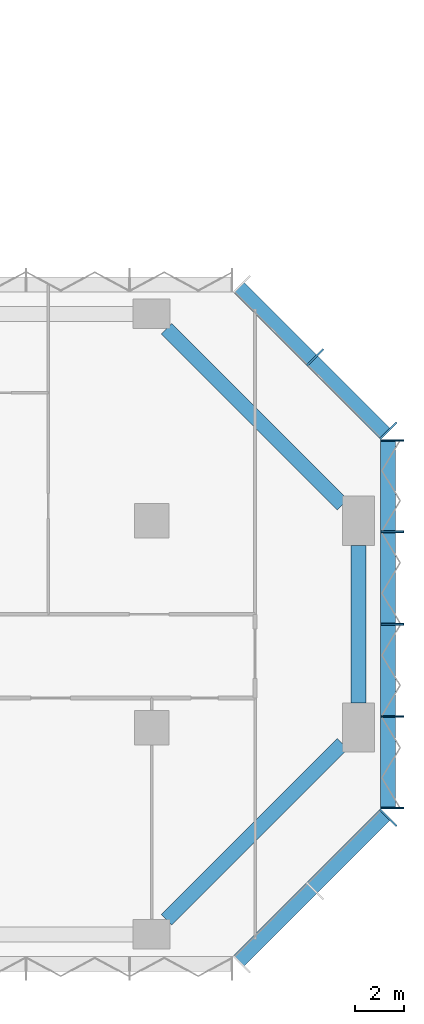
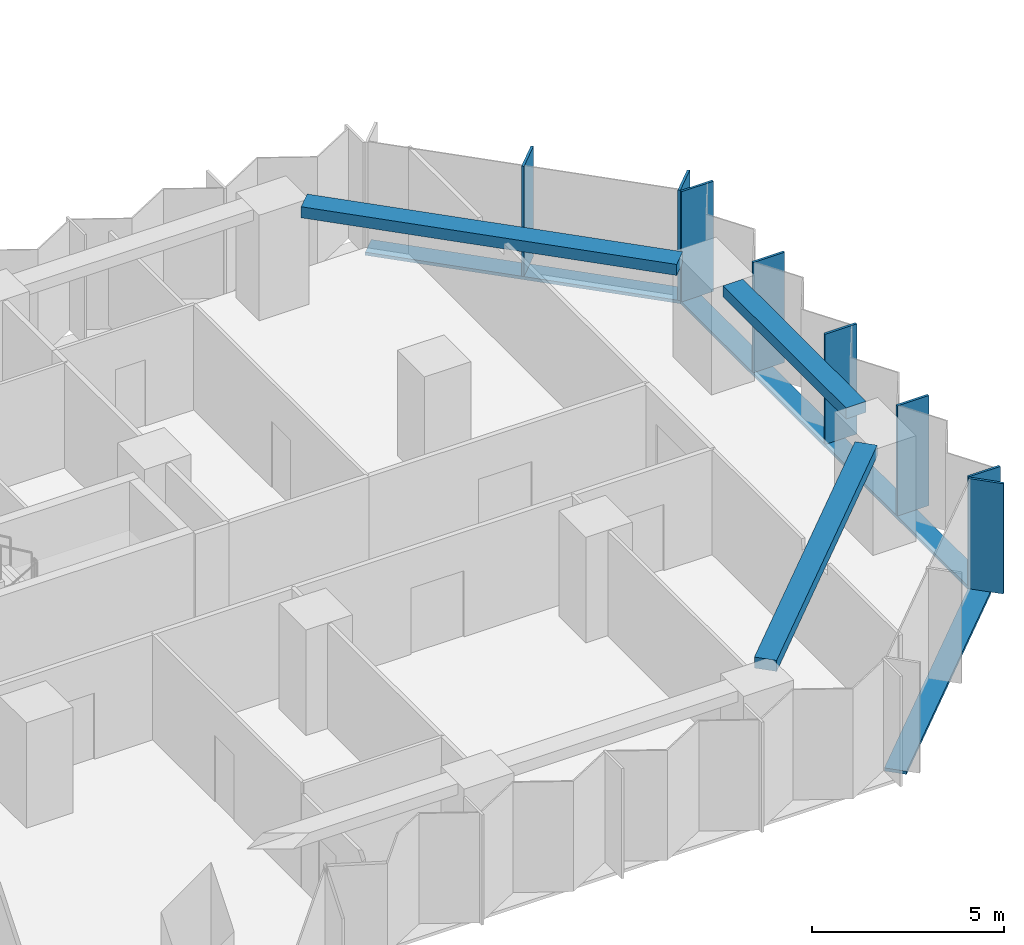
# One storey, part 4 of 15: 11 members, 3 beams, 3 elements without a shape of their own.
"""IFC4 building model written with IfcOpenShell, lengths in metres."""

from ifc_helpers import new_model, si_unit, direction, frame, origin, origin_2d, place, context, subcontext, project, spatial, rectangle, extrude, material, material_profile, profile_set, type_object, element, aggregate, save


model = new_model("IFC4")

# Units and contexts
model_context = context("Model", 3, precision=1e-05, world=origin(), true_north=direction((0.0, 1.0)))
body_context = subcontext(model_context, "Body", "Model", "MODEL_VIEW")
ifc_project = project(units=[si_unit("LENGTHUNIT", "METRE"), si_unit("AREAUNIT", "SQUARE_METRE"), si_unit("VOLUMEUNIT", "CUBIC_METRE"), si_unit("PLANEANGLEUNIT", "RADIAN"), si_unit("MASSUNIT", "GRAM", prefix="KILO")], contexts=[model_context])

# Site, building, storey
site_placement = place(None, origin())
site = spatial("IfcSite", under=ifc_project, at=site_placement, CompositionType="ELEMENT")
building_placement = place(site_placement, origin())
building = spatial("IfcBuilding", under=site, at=building_placement, Name="Brevane Broadcast Tower", CompositionType="ELEMENT")
storey_placement = place(building_placement, frame((0.0, 0.0, 43.699951171875)))
storey = spatial("IfcBuildingStorey", under=building, at=storey_placement, Name="L08", CompositionType="ELEMENT", Elevation=43.699951171875)

# Curtain wall, member
ifc_material_1 = material(Name="Aluminium 6063-T6 bronze anodised", Category="aluminium")
curtain_wall_type = type_object("IfcCurtainWallType", Name="CW-1 curtain wall", PredefinedType="NOTDEFINED", material=ifc_material_1)
curtain_wall_1_placement = place(storey_placement, origin())
curtain_wall_1 = element("IfcCurtainWall", 1, at=curtain_wall_1_placement, inside=storey, type_object=curtain_wall_type, Name="CW-1 typical tilted unit L08 south-east chamfer", PredefinedType="NOTDEFINED")
ifc_material_profile_1 = material_profile(ifc_material_1, rectangle(XDim=0.949951171875, YDim=0.070068359375, at=origin_2d()), Name="RECT 70x950")
ifc_profile_set_1 = profile_set([ifc_material_profile_1], Name="Aluminium 6063-T6 bronze anodised")
member_type_1 = type_object("IfcMemberType", Name="CW-1 mullion 70x950", PredefinedType="MULLION", material=ifc_profile_set_1)
member_1_placement = place(storey_placement, frame((68.4111328125, 4.7392578125, -0.14990234375), z_axis=(0.0, 0.0, 1.0), x_axis=(-0.707106781187, 0.707106781187, 0.0)))
member_1 = element("IfcMember", 2, at=member_1_placement, type_object=member_type_1, Name="CW-1 mullion", PredefinedType="MULLION", context=body_context, shape_type="SweptSolid", body=[
    extrude(rectangle(XDim=0.949951171875, YDim=0.070068359375, at=origin_2d()), origin(), (0.0, 0.0, 1.0), 3.5),
])

# Curtain wall, members
curtain_wall_2_placement = place(storey_placement, origin())
curtain_wall_2 = element("IfcCurtainWall", 3, at=curtain_wall_2_placement, inside=storey, type_object=curtain_wall_type, Name="CW-1 typical tilted unit L08 east end", PredefinedType="NOTDEFINED")
member_2_placement = place(storey_placement, frame((68.574951171875, 5.135009765625, -0.14990234375), z_axis=(0.0, 0.0, 1.0), x_axis=(-1.0, 0.0, 0.0)))
member_2 = element("IfcMember", 4, at=member_2_placement, type_object=member_type_1, Name="CW-1 mullion", PredefinedType="MULLION", context=body_context, shape_type="SweptSolid", body=[
    extrude(rectangle(XDim=0.949951171875, YDim=0.070068359375, at=origin_2d()), origin(), (0.0, 0.0, 1.0), 3.5),
])
member_3_placement = place(storey_placement, frame((68.574951171875, 8.85009765625, -0.14990234375), z_axis=(0.0, 0.0, 1.0), x_axis=(-1.0, 0.0, 0.0)))
member_3 = element("IfcMember", 5, at=member_3_placement, type_object=member_type_1, Name="CW-1 mullion", PredefinedType="MULLION", context=body_context, shape_type="SweptSolid", body=[
    extrude(rectangle(XDim=0.949951171875, YDim=0.070068359375, at=origin_2d()), origin(), (0.0, 0.0, 1.0), 3.5),
])
member_4_placement = place(storey_placement, frame((68.574951171875, 12.60009765625, -0.14990234375), z_axis=(0.0, 0.0, 1.0), x_axis=(-1.0, 0.0, 0.0)))
member_4 = element("IfcMember", 6, at=member_4_placement, type_object=member_type_1, Name="CW-1 mullion", PredefinedType="MULLION", context=body_context, shape_type="SweptSolid", body=[
    extrude(rectangle(XDim=0.949951171875, YDim=0.070068359375, at=origin_2d()), origin(), (0.0, 0.0, 1.0), 3.5),
])
member_5_placement = place(storey_placement, frame((68.574951171875, 16.35009765625, -0.14990234375), z_axis=(0.0, 0.0, 1.0), x_axis=(-1.0, 0.0, 0.0)))
member_5 = element("IfcMember", 7, at=member_5_placement, type_object=member_type_1, Name="CW-1 mullion", PredefinedType="MULLION", context=body_context, shape_type="SweptSolid", body=[
    extrude(rectangle(XDim=0.949951171875, YDim=0.070068359375, at=origin_2d()), origin(), (0.0, 0.0, 1.0), 3.5),
])
member_6_placement = place(storey_placement, frame((68.574951171875, 20.06494140625, -0.14990234375), z_axis=(0.0, 0.0, 1.0), x_axis=(-1.0, 0.0, 0.0)))
member_6 = element("IfcMember", 8, at=member_6_placement, type_object=member_type_1, Name="CW-1 mullion", PredefinedType="MULLION", context=body_context, shape_type="SweptSolid", body=[
    extrude(rectangle(XDim=0.949951171875, YDim=0.070068359375, at=origin_2d()), origin(), (0.0, 0.0, 1.0), 3.5),
])

curtain_wall_3_placement = place(storey_placement, origin())
curtain_wall_3 = element("IfcCurtainWall", 9, at=curtain_wall_3_placement, inside=storey, type_object=curtain_wall_type, Name="CW-1 typical tilted unit L08 north-east chamfer", PredefinedType="NOTDEFINED")
member_7_placement = place(storey_placement, frame((68.4111328125, 20.460693359375, -0.14990234375), z_axis=(0.0, 0.0, 1.0), x_axis=(-0.707106781187, -0.707106781187, 0.0)))
member_7 = element("IfcMember", 10, at=member_7_placement, type_object=member_type_1, Name="CW-1 mullion", PredefinedType="MULLION", context=body_context, shape_type="SweptSolid", body=[
    extrude(rectangle(XDim=0.949951171875, YDim=0.070068359375, at=origin_2d()), origin(), (0.0, 0.0, 1.0), 3.5),
])
member_8_placement = place(storey_placement, frame((65.435791015625, 23.435791015625, -0.14990234375), z_axis=(0.0, 0.0, 1.0), x_axis=(-0.707106781187, -0.707106781187, 0.0)))
member_8 = element("IfcMember", 11, at=member_8_placement, type_object=member_type_1, Name="CW-1 mullion", PredefinedType="MULLION", context=body_context, shape_type="SweptSolid", body=[
    extrude(rectangle(XDim=0.949951171875, YDim=0.070068359375, at=origin_2d()), origin(), (0.0, 0.0, 1.0), 3.5),
])

# Member
ifc_material_profile_2 = material_profile(ifc_material_1, rectangle(XDim=0.60009765625, YDim=0.10009765625, at=origin_2d()), Name="RECT 100x600")
ifc_profile_set_2 = profile_set([ifc_material_profile_2], Name="Aluminium 6063-T6 bronze anodised")
member_type_2 = type_object("IfcMemberType", Name="CW-1 transom 100x600", PredefinedType="USERDEFINED", material=ifc_profile_set_2)
member_9_placement = place(storey_placement, frame((62.31201171875, -1.112060546875, -0.199951171875), z_axis=(0.707106781187, 0.707106781187, 0.0), x_axis=(-0.707106781187, 0.707106781187, 0.0)))
member_9 = element("IfcMember", 12, at=member_9_placement, type_object=member_type_2, Name="CW-1 transom", ObjectType="TRANSOM", PredefinedType="USERDEFINED", context=body_context, shape_type="SweptSolid", body=[
    extrude(rectangle(XDim=0.60009765625, YDim=0.10009765625, at=origin_2d()), origin(), (0.0, 0.0, 1.0), 8.4853515625),
])

aggregate(curtain_wall_1, [member_1, member_9])

member_10_placement = place(storey_placement, frame((68.39990234375, 5.10009765625, -0.199951171875), z_axis=(0.0, 1.0, 0.0), x_axis=(-1.0, 0.0, 0.0)))
member_10 = element("IfcMember", 13, at=member_10_placement, type_object=member_type_2, Name="CW-1 transom", ObjectType="TRANSOM", PredefinedType="USERDEFINED", context=body_context, shape_type="SweptSolid", body=[
    extrude(rectangle(XDim=0.60009765625, YDim=0.10009765625, at=origin_2d()), origin(), (0.0, 0.0, 1.0), 15.0),
])

aggregate(curtain_wall_2, [member_2, member_3, member_4, member_5, member_6, member_10])

member_11_placement = place(storey_placement, frame((68.31201171875, 20.31201171875, -0.199951171875), z_axis=(-0.707106781187, 0.707106781187, 0.0), x_axis=(-0.707106781187, -0.707106781187, 0.0)))
member_11 = element("IfcMember", 14, at=member_11_placement, type_object=member_type_2, Name="CW-1 transom", ObjectType="TRANSOM", PredefinedType="USERDEFINED", context=body_context, shape_type="SweptSolid", body=[
    extrude(rectangle(XDim=0.60009765625, YDim=0.10009765625, at=origin_2d()), origin(), (0.0, 0.0, 1.0), 8.4853515625),
])

aggregate(curtain_wall_3, [member_7, member_8, member_11])

# Beams
ifc_material_2 = material(Name="Concrete C40/50", Category="concrete")
ifc_material_profile_3 = material_profile(ifc_material_2, rectangle(XDim=0.60009765625, YDim=0.35009765625, at=origin_2d()), Name="RC 600x350")
ifc_profile_set_3 = profile_set([ifc_material_profile_3], Name="Concrete C40/50")
beam_type = type_object("IfcBeamType", Name="RC SPANDREL BEAM 600x350 C40/50", PredefinedType="SPANDREL", material=ifc_profile_set_3)
beam_1_placement = place(storey_placement, frame((59.39990234375, 0.60009765625, 3.175048828125), z_axis=(0.707118853314, 0.707094708853, 0.0), x_axis=(-0.707094708853, 0.707118853314, 0.0)))
element("IfcBeam", 15, at=beam_1_placement, inside=storey, type_object=beam_type, Name="EB1 L08-5", PredefinedType="SPANDREL", context=body_context, shape_type="SweptSolid", body=[
    extrude(rectangle(XDim=0.60009765625, YDim=0.35009765625, at=origin_2d()), origin(), (0.0, 0.0, 1.0), 10.111572265625),
])
beam_2_placement = place(storey_placement, frame((67.199951171875, 9.39990234375, 3.175048828125), z_axis=(0.0, 1.0, 0.0), x_axis=(-1.0, 0.0, 0.0)))
element("IfcBeam", 16, at=beam_2_placement, inside=storey, type_object=beam_type, Name="EB1 L08-6", PredefinedType="SPANDREL", context=body_context, shape_type="SweptSolid", body=[
    extrude(rectangle(XDim=0.60009765625, YDim=0.35009765625, at=origin_2d()), origin(), (0.0, 0.0, 1.0), 6.400146484375),
])
beam_3_placement = place(storey_placement, frame((66.550048828125, 17.449951171875, 3.175048828125), z_axis=(-0.707106781187, 0.707106781187, 0.0), x_axis=(-0.707106781187, -0.707106781187, 0.0)))
element("IfcBeam", 17, at=beam_3_placement, inside=storey, type_object=beam_type, Name="EB1 L08-7", PredefinedType="SPANDREL", context=body_context, shape_type="SweptSolid", body=[
    extrude(rectangle(XDim=0.60009765625, YDim=0.35009765625, at=origin_2d()), origin(), (0.0, 0.0, 1.0), 10.11181640625),
])

save(model, "model.ifc")
